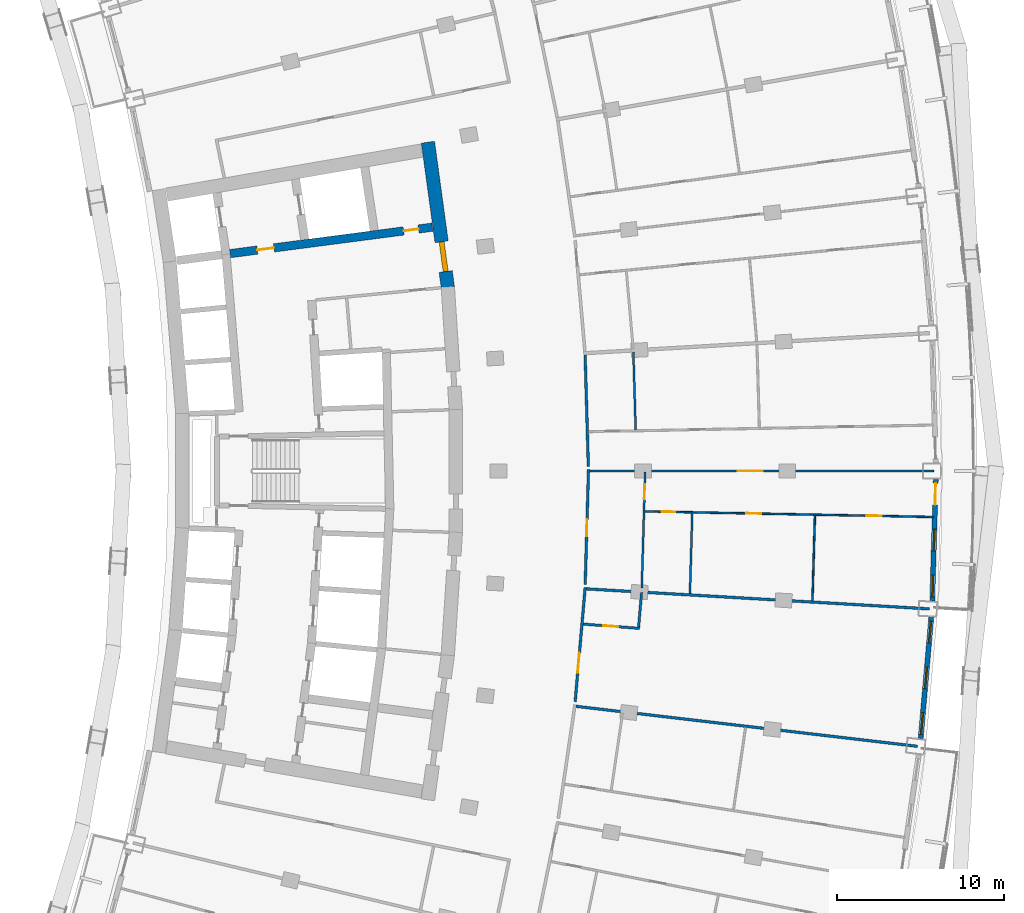
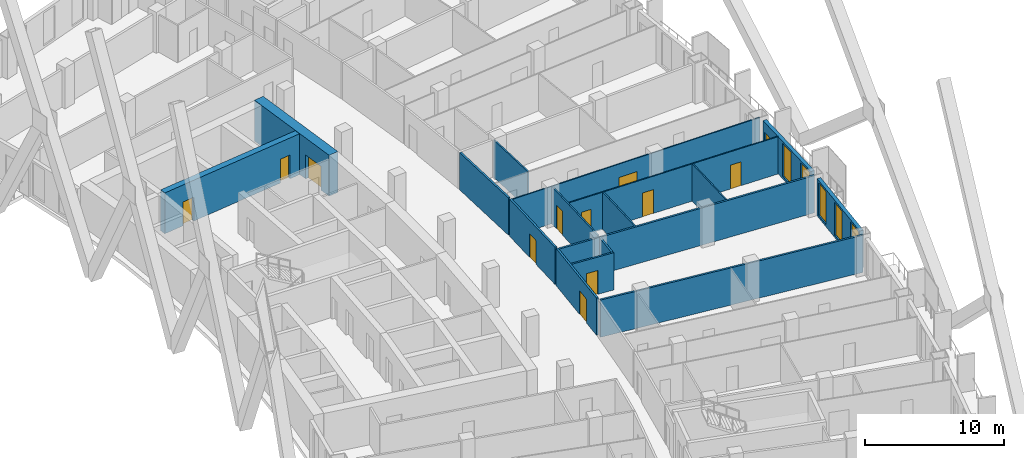
# One storey, part 18 of 26: 17 walls, 12 doors, 5 windows, 17 openings.
"""IFC4 building model written with IfcOpenShell, lengths in metres."""

import ifcopenshell
import ifcopenshell.guid

model = None  # the IFC model being written
_history = None  # IfcOwnerHistory: only IFC2X3 demands one
_inside = {}  # id of a spatial element -> (the spatial element, [elements in it])
_under = {}  # id of a project, library or spatial element -> (it, [spatial elements below it])
_declared = {}  # id of a project -> (the project, [libraries it declares])
_typed = {}  # id of a type object -> (the type object, [elements of that type])
_made_of = {}  # id of a material, layer set ... -> (it, [elements and type objects made of it])


def new_model(schema):
    """Start an empty IFC model of exactly this schema.

    Asked for "IFC4X3", IfcOpenShell would pick the latest addendum, in which some entities
    have other attributes; the version numbers below select the first issue.
    IFC2X3 requires an IfcOwnerHistory on every rooted entity: one is made here for all.
    """
    global model, _history
    if schema == "IFC4X3":
        model = ifcopenshell.file(schema_version=(4, 3, 0, 0))
    else:
        model = ifcopenshell.file(schema=schema)
    _inside.clear()
    _under.clear()
    _declared.clear()
    _typed.clear()
    _made_of.clear()
    _history = None
    if model.schema == "IFC2X3":
        org = make("IfcOrganization", Name="unknown")
        user = make(
            "IfcPersonAndOrganization",
            ThePerson=make("IfcPerson", FamilyName="unknown"),
            TheOrganization=org,
        )
        app = make(
            "IfcApplication",
            ApplicationDeveloper=org,
            Version="unknown",
            ApplicationFullName="unknown",
            ApplicationIdentifier="unknown",
        )
        _history = make(
            "IfcOwnerHistory",
            OwningUser=user,
            OwningApplication=app,
            ChangeAction="ADDED",
            CreationDate=0,
        )
    return model


def make(cls, **values):
    """One entity of the class cls with the attributes given. An attribute that is None is left unset."""
    return model.create_entity(
        cls, **{name: value for name, value in values.items() if value is not None}
    )


def rooted(cls, **values):
    """An entity with a GlobalId (a new one), such as an element, a storey or a relation."""
    return make(cls, GlobalId=ifcopenshell.guid.new(), OwnerHistory=_history, **values)


def si_unit(unit_type, name, prefix=None):
    """IfcSIUnit, for example si_unit("LENGTHUNIT", "METRE", prefix="MILLI")."""
    return make("IfcSIUnit", UnitType=unit_type, Prefix=prefix, Name=name)


def assignment(units):
    """IfcUnitAssignment: the units of a project."""
    return None if units is None else make("IfcUnitAssignment", Units=units)


def point(xyz):
    """IfcCartesianPoint."""
    return None if xyz is None else make("IfcCartesianPoint", Coordinates=xyz)


def direction(xyz):
    """IfcDirection."""
    return None if xyz is None else make("IfcDirection", DirectionRatios=xyz)


def frame(location, z_axis=None, x_axis=None):
    """IfcAxis2Placement3D, a coordinate frame: its origin and axes. An axis left out is left unset."""
    return make(
        "IfcAxis2Placement3D",
        Location=point(location),
        Axis=direction(z_axis),
        RefDirection=direction(x_axis),
    )


def frame_2d(location, x_axis=None):
    """IfcAxis2Placement2D, a coordinate frame in the plane: its origin and x axis."""
    return make(
        "IfcAxis2Placement2D", Location=point(location), RefDirection=direction(x_axis)
    )


def origin():
    """The frame at (0, 0, 0) with its axes left unset."""
    return frame((0.0, 0.0, 0.0))


def place(relative_to, where):
    """IfcLocalPlacement: puts the frame where relative to a parent placement (None: the world)."""
    return make(
        "IfcLocalPlacement", PlacementRelTo=relative_to, RelativePlacement=where
    )


def context(
    kind, dimensions, precision=None, world=None, true_north=None, identifier=None
):
    """IfcGeometricRepresentationContext, for example the 3D "Model" context."""
    return make(
        "IfcGeometricRepresentationContext",
        ContextIdentifier=identifier,
        ContextType=kind,
        CoordinateSpaceDimension=dimensions,
        Precision=precision,
        WorldCoordinateSystem=world,
        TrueNorth=true_north,
    )


def subcontext(parent, identifier, kind, view, scale=None):
    """IfcGeometricRepresentationSubContext, for example "Body" below "Model"."""
    return make(
        "IfcGeometricRepresentationSubContext",
        ContextIdentifier=identifier,
        ContextType=kind,
        ParentContext=parent,
        TargetScale=scale,
        TargetView=view,
    )


def project(units=None, contexts=None):
    """IfcProject with its units and contexts."""
    return rooted(
        "IfcProject",
        Name="project",
        RepresentationContexts=contexts,
        UnitsInContext=assignment(units),
    )


def spatial(cls, under=None, at=None, **own):
    """A site, building, storey or space (cls), placed at a placement, below another one or the project."""
    s = rooted(cls, ObjectPlacement=at, **own)
    if under is not None:
        _under.setdefault(under.id(), (under, []))[1].append(s)
    return s


def profile(cls, at=None, kind="AREA", **sizes):
    """A parametric profile (cls). Its sizes go by their IFC names, for example OverallWidth=200.0."""
    return make(cls, ProfileType=kind, Position=at, **sizes)


def rectangle(**sizes):
    """IfcRectangleProfileDef."""
    return profile("IfcRectangleProfileDef", **sizes)


def extrude(swept, where, along, depth):
    """IfcExtrudedAreaSolid: the profile swept, set in the frame where, extruded along a direction by depth."""
    return make(
        "IfcExtrudedAreaSolid",
        SweptArea=swept,
        Position=where,
        ExtrudedDirection=direction(along),
        Depth=depth,
    )


def shape(context_of_items, identifier, shape_type, items):
    """IfcShapeRepresentation: the items that make up one representation, for example the "Body"."""
    return make(
        "IfcShapeRepresentation",
        ContextOfItems=context_of_items,
        RepresentationIdentifier=identifier,
        RepresentationType=shape_type,
        Items=items,
    )


def material(Name=None, Category=None):
    """IfcMaterial."""
    return make("IfcMaterial", Name=Name, Category=Category)


def layer(
    of_material, thickness, ventilated=None, Name=None, Category=None, Priority=None
):
    """IfcMaterialLayer: one layer of a wall or slab, of a material (None: an air gap)."""
    return make(
        "IfcMaterialLayer",
        Material=of_material,
        LayerThickness=thickness,
        IsVentilated=ventilated,
        Name=Name,
        Category=Category,
        Priority=Priority,
    )


def layer_set(layers, Name=None):
    """IfcMaterialLayerSet."""
    return make("IfcMaterialLayerSet", MaterialLayers=layers, LayerSetName=Name)


def made_of(thing, what):
    """Note that an element or type object is made of a material, layer set ...; save() writes the relation."""
    if what is not None:
        _made_of.setdefault(what.id(), (what, []))[1].append(thing)
    return thing


def type_object(cls, material=None, **own):
    """A type object (cls), such as IfcWallType, which elements share."""
    return made_of(rooted(cls, **own), material)


def element(
    cls,
    number,
    at=None,
    inside=None,
    cuts=None,
    type_object=None,
    material=None,
    context=None,
    identifier="Body",
    shape_type=None,
    held_by="IfcProductDefinitionShape",
    body=None,
    shapes=None,
    **own,
):
    """One element of the class cls, such as IfcWall. Its Tag is "e" and its number.

    at: its placement. inside: the storey or other place that contains it. cuts: it is an
    opening in that element (IfcRelVoidsElement). A single representation is given by context,
    identifier, shape_type and body (its items); several are given by shapes. held_by: the class
    of the entity that holds the representations. save() writes the other relations.
    """
    e = rooted(cls, Tag="e%d" % number, ObjectPlacement=at, **own)
    if body is not None:
        shapes = [shape(context, identifier, shape_type, body)]
    if shapes is not None:
        e.Representation = make(held_by, Representations=shapes)
    if inside is not None:
        _inside.setdefault(inside.id(), (inside, []))[1].append(e)
    if cuts is not None:
        rooted(
            "IfcRelVoidsElement", RelatingBuildingElement=cuts, RelatedOpeningElement=e
        )
    if type_object is not None:
        _typed.setdefault(type_object.id(), (type_object, []))[1].append(e)
    return made_of(e, material)


def fill(opening, filler):
    """IfcRelFillsElement: the door or window that sits in an opening."""
    return rooted(
        "IfcRelFillsElement",
        RelatingOpeningElement=opening,
        RelatedBuildingElement=filler,
    )


def aggregate(whole, parts):
    """IfcRelAggregates: a whole, such as a stair, and the parts it consists of."""
    return rooted("IfcRelAggregates", RelatingObject=whole, RelatedObjects=parts)


def save(model, path):
    """Write the relations noted so far, then the file.

    IfcRelAggregates (storeys below a building ...), IfcRelContainedInSpatialStructure (elements
    in a storey), IfcRelDefinesByType, IfcRelAssociatesMaterial and IfcRelDeclares: one each for
    every whole, place, type object, material and project.
    """
    for whole, parts in _under.values():
        aggregate(whole, parts)
    for where, things in _inside.values():
        rooted(
            "IfcRelContainedInSpatialStructure",
            RelatedElements=things,
            RelatingStructure=where,
        )
    for kind, things in _typed.values():
        rooted("IfcRelDefinesByType", RelatedObjects=things, RelatingType=kind)
    for what, things in _made_of.values():
        rooted("IfcRelAssociatesMaterial", RelatedObjects=things, RelatingMaterial=what)
    for by, libraries in _declared.values():
        rooted("IfcRelDeclares", RelatingContext=by, RelatedDefinitions=libraries)
    model.write(path)


model = new_model("IFC4")

# Units and contexts
model_context = context("Model", 3, precision=1e-05, world=origin(), true_north=direction((0.0, 1.0)))
body_context = subcontext(model_context, "Body", "Model", "MODEL_VIEW")
ifc_project = project(units=[si_unit("LENGTHUNIT", "METRE"), si_unit("AREAUNIT", "SQUARE_METRE"), si_unit("VOLUMEUNIT", "CUBIC_METRE"), si_unit("PLANEANGLEUNIT", "RADIAN"), si_unit("MASSUNIT", "GRAM", prefix="KILO")], contexts=[model_context])

# Site, building, storey
site_placement = place(None, origin())
site = spatial("IfcSite", under=ifc_project, at=site_placement, CompositionType="ELEMENT")
building_placement = place(site_placement, origin())
building = spatial("IfcBuilding", under=site, at=building_placement, Name="Alderwake Tower", CompositionType="ELEMENT")
storey_placement = place(building_placement, frame((0.0, 0.0, 82.39990234375)))
storey = spatial("IfcBuildingStorey", under=building, at=storey_placement, Name="L19", CompositionType="ELEMENT", Elevation=82.39990234375)

# Wall, opening, door
ifc_material_1 = material(Name="Concrete C70/85", Category="concrete")
ifc_layer_1 = layer(ifc_material_1, 0.800048828125)
ifc_layer_set_1 = layer_set([ifc_layer_1], Name="Core wall outer 800 C70-85")
wall_type_1 = type_object("IfcWallType", Name="Core wall outer 800 C70-85", PredefinedType="SHEAR", material=ifc_layer_set_1)
wall_1_placement = place(storey_placement, frame((31.569580078125, 80.7265625, 0.0), z_axis=(0.0, 0.0, 1.0), x_axis=(0.135838347444, -0.990731014637, 0.0)))
wall_1 = element("IfcWall", 1, at=wall_1_placement, inside=storey, type_object=wall_type_1, Name="Core wall CW.009", PredefinedType="SHEAR", context=body_context, shape_type="SweptSolid", body=[
    extrude(rectangle(XDim=8.788818359375, YDim=0.800048828125, at=frame_2d((4.39453125, 0.0))), origin(), (0.0, 0.0, 1.0), 3.60009765625),
])
opening_1_placement = place(wall_1_placement, frame((6.032958984375, 0.0, 0.0)))
opening_1 = element("IfcOpeningElement", 2, at=opening_1_placement, cuts=wall_1, Name="Opening C001", PredefinedType="OPENING", context=body_context, shape_type="SweptSolid", body=[
    extrude(rectangle(XDim=1.800048828125, YDim=2.10009765625, at=frame_2d((0.89990234375, 1.050048828125))), frame((0.0, 0.409912109375, 0.0), z_axis=(0.0, -1.0, 0.0), x_axis=(1.0, 0.0, 0.0)), (0.0, 0.0, 1.0), 0.820068359375),
])
ifc_material_2 = material(Name="Steel-framed fire door leaves", Category="steel")
door_type_1 = type_object("IfcDoorType", Name="Core double door 1800 fire-rated", OperationType="DOUBLE_DOOR_SINGLE_SWING", PredefinedType="DOOR", material=ifc_material_2)
door_1_placement = place(opening_1_placement, origin())
door_1 = element("IfcDoor", 3, at=door_1_placement, inside=storey, type_object=door_type_1, Name="Lobby double door", OperationType="DOUBLE_DOOR_SINGLE_SWING", OverallHeight=2.10009765625, OverallWidth=1.800048828125, PredefinedType="DOOR", context=body_context, shape_type="SweptSolid", body=[
    extrude(rectangle(XDim=1.800048828125, YDim=2.10009765625, at=frame_2d((0.89990234375, 1.050048828125))), frame((0.0, 0.14990234375, 0.0), z_axis=(0.0, -1.0, 0.0), x_axis=(1.0, 0.0, 0.0)), (0.0, 0.0, 1.0), 0.300048828125),
])
fill(opening_1, door_1)

# Wall, openings, doors
ifc_material_3 = material(Name="Concrete C70/85", Category="concrete")
ifc_layer_2 = layer(ifc_material_3, 0.5)
ifc_layer_set_2 = layer_set([ifc_layer_2], Name="Core wall spine 500 C70-85")
wall_type_2 = type_object("IfcWallType", Name="Core wall spine 500 C70-85", PredefinedType="SHEAR", material=ifc_layer_set_2)
wall_2_placement = place(storey_placement, frame((31.834716796875, 75.627197265625, 0.0), z_axis=(0.0, 0.0, 1.0), x_axis=(-0.991555516999, -0.129682908318, 0.0)))
wall_2 = element("IfcWall", 4, at=wall_2_placement, inside=storey, type_object=wall_type_2, Name="Core wall CW.052", PredefinedType="SHEAR", context=body_context, shape_type="SweptSolid", body=[
    extrude(rectangle(XDim=12.23681640625, YDim=0.5, at=frame_2d((6.118408203125, 0.0))), origin(), (0.0, 0.0, 1.0), 3.60009765625),
])
opening_2_placement = place(wall_2_placement, frame((9.587158203125, 0.0, 0.0)))
opening_2 = element("IfcOpeningElement", 5, at=opening_2_placement, cuts=wall_2, Name="Opening C002", PredefinedType="OPENING", context=body_context, shape_type="SweptSolid", body=[
    extrude(rectangle(XDim=1.0, YDim=2.10009765625, at=frame_2d((0.5, 1.050048828125))), frame((0.0, 0.260009765625, 0.0), z_axis=(0.0, -1.0, 0.0), x_axis=(1.0, 0.0, 0.0)), (0.0, 0.0, 1.0), 0.52001953125),
])
opening_3_placement = place(wall_2_placement, frame((0.837158203125, 0.0, 0.0)))
opening_3 = element("IfcOpeningElement", 6, at=opening_3_placement, cuts=wall_2, Name="Opening C020", PredefinedType="OPENING", context=body_context, shape_type="SweptSolid", body=[
    extrude(rectangle(XDim=0.89990234375, YDim=2.10009765625, at=frame_2d((0.449951171875, 1.050048828125))), frame((0.0, 0.260009765625, 0.0), z_axis=(0.0, -1.0, 0.0), x_axis=(1.0, 0.0, 0.0)), (0.0, 0.0, 1.0), 0.52001953125),
])
ifc_material_4 = material(Name="Painted steel leaf", Category="steel")
door_type_2 = type_object("IfcDoorType", Name="Core room door 900", OperationType="SINGLE_SWING_LEFT", PredefinedType="DOOR", material=ifc_material_4)
door_2_placement = place(opening_3_placement, origin())
door_2 = element("IfcDoor", 7, at=door_2_placement, inside=storey, type_object=door_type_2, Name="Room door", OperationType="SINGLE_SWING_LEFT", OverallHeight=2.10009765625, OverallWidth=0.89990234375, PredefinedType="DOOR", context=body_context, shape_type="SweptSolid", body=[
    extrude(rectangle(XDim=0.89990234375, YDim=2.10009765625, at=frame_2d((0.449951171875, 1.050048828125))), frame((0.0, 0.02490234375, 0.0), z_axis=(0.0, -1.0, 0.0), x_axis=(1.0, 0.0, 0.0)), (0.0, 0.0, 1.0), 0.050048828125),
])
fill(opening_3, door_2)
ifc_material_5 = material(Name="Steel-framed fire door leaf", Category="steel")
door_type_3 = type_object("IfcDoorType", Name="Firefighting lobby door 1000 fire-rated", OperationType="SINGLE_SWING_LEFT", PredefinedType="DOOR", material=ifc_material_5)
door_3_placement = place(opening_2_placement, origin())
door_3 = element("IfcDoor", 8, at=door_3_placement, inside=storey, type_object=door_type_3, Name="Firefighting lobby door", OperationType="SINGLE_SWING_RIGHT", OverallHeight=2.10009765625, OverallWidth=1.0, PredefinedType="DOOR", context=body_context, shape_type="SweptSolid", body=[
    extrude(rectangle(XDim=1.0, YDim=2.10009765625, at=frame_2d((0.5, 1.050048828125))), frame((0.0, 0.02490234375, 0.0), z_axis=(0.0, -1.0, 0.0), x_axis=(1.0, 0.0, 0.0)), (0.0, 0.0, 1.0), 0.050048828125),
])
fill(opening_2, door_3)

# Wall, opening, door
ifc_material_6 = material(Name="Gypsum board on metal studs, rated")
ifc_layer_3 = layer(ifc_material_6, 0.159912109375)
ifc_layer_set_3 = layer_set([ifc_layer_3], Name="Corridor wall 160")
wall_type_3 = type_object("IfcWallType", Name="Corridor wall 160", PredefinedType="PARTITIONING", material=ifc_layer_set_3)
wall_3_placement = place(storey_placement, frame((41.001953125, 54.013671875, 0.0), z_axis=(0.0, 0.0, 1.0), x_axis=(-0.087419573149, -0.996171580718, 0.0)))
wall_3 = element("IfcWall", 9, at=wall_3_placement, inside=storey, type_object=wall_type_3, Name="WL/L19/W36", PredefinedType="PARTITIONING", context=body_context, shape_type="SweptSolid", body=[
    extrude(rectangle(XDim=6.88134765625, YDim=0.159912109375, at=frame_2d((3.440673828125, 0.0))), origin(), (0.0, 0.0, 1.0), 3.280029296875),
])
opening_4_placement = place(wall_3_placement, frame((3.941162109375, 0.0, 0.0)))
opening_4 = element("IfcOpeningElement", 10, at=opening_4_placement, cuts=wall_3, Name="Opening R05-AM1.1", PredefinedType="OPENING", context=body_context, shape_type="SweptSolid", body=[
    extrude(rectangle(XDim=1.199951171875, YDim=2.10009765625, at=frame_2d((0.60009765625, 1.050048828125))), frame((0.0, 0.08984375, 0.0), z_axis=(0.0, -1.0, 0.0), x_axis=(1.0, 0.0, 0.0)), (0.0, 0.0, 1.0), 0.179931640625),
])
ifc_material_7 = material(Name="Steel-framed fire door leaf", Category="steel")
door_type_4 = type_object("IfcDoorType", Name="Lobby door 1200 fire-rated", OperationType="SINGLE_SWING_LEFT", PredefinedType="DOOR", material=ifc_material_7)
door_4_placement = place(opening_4_placement, origin())
door_4 = element("IfcDoor", 11, at=door_4_placement, inside=storey, type_object=door_type_4, Name="DR/L19/AM1.1", OperationType="SINGLE_SWING_LEFT", OverallHeight=2.10009765625, OverallWidth=1.199951171875, PredefinedType="DOOR", context=body_context, shape_type="SweptSolid", body=[
    extrude(rectangle(XDim=1.199951171875, YDim=2.10009765625, at=frame_2d((0.60009765625, 1.050048828125))), frame((0.0, 0.02490234375, 0.0), z_axis=(0.0, -1.0, 0.0), x_axis=(1.0, 0.0, 0.0)), (0.0, 0.0, 1.0), 0.050048828125),
])
fill(opening_4, door_4)

wall_4_placement = place(storey_placement, frame((41.201416015625, 61.0791015625, 0.0), z_axis=(0.0, 0.0, 1.0), x_axis=(-0.028879835058, -0.999582890573, 0.0)))
wall_4 = element("IfcWall", 12, at=wall_4_placement, inside=storey, type_object=wall_type_3, Name="WL/L19/W38", PredefinedType="PARTITIONING", context=body_context, shape_type="SweptSolid", body=[
    extrude(rectangle(XDim=6.88134765625, YDim=0.159912109375, at=frame_2d((3.440673828125, 0.0))), origin(), (0.0, 0.0, 1.0), 3.280029296875),
])
opening_5_placement = place(wall_4_placement, frame((2.97998046875, 0.0, 0.0)))
opening_5 = element("IfcOpeningElement", 13, at=opening_5_placement, cuts=wall_4, Name="Opening R05-U06.2", PredefinedType="OPENING", context=body_context, shape_type="SweptSolid", body=[
    extrude(rectangle(XDim=1.0, YDim=2.10009765625, at=frame_2d((0.5, 1.050048828125))), frame((0.0, 0.08984375, 0.0), z_axis=(0.0, -1.0, 0.0), x_axis=(1.0, 0.0, 0.0)), (0.0, 0.0, 1.0), 0.179931640625),
])
ifc_material_8 = material(Name="Solid timber leaf in steel frame", Category="steel")
door_type_5 = type_object("IfcDoorType", Name="Flat entrance door 1000 fire-rated", OperationType="SINGLE_SWING_LEFT", PredefinedType="DOOR", material=ifc_material_8)
door_5_placement = place(opening_5_placement, origin())
door_5 = element("IfcDoor", 14, at=door_5_placement, inside=storey, type_object=door_type_5, Name="DR/L19/U06.2", OperationType="SINGLE_SWING_LEFT", OverallHeight=2.10009765625, OverallWidth=1.0, PredefinedType="DOOR", context=body_context, shape_type="SweptSolid", body=[
    extrude(rectangle(XDim=1.0, YDim=2.10009765625, at=frame_2d((0.5, 1.050048828125))), frame((0.0, 0.02490234375, 0.0), z_axis=(0.0, -1.0, 0.0), x_axis=(1.0, 0.0, 0.0)), (0.0, 0.0, 1.0), 0.050048828125),
])
fill(opening_5, door_5)

# Walls
wall_5_placement = place(storey_placement, frame((41.074951171875, 53.92919921875, 0.0), z_axis=(0.0, 0.0, 1.0), x_axis=(0.998301701652, -0.058255578946, 0.0)))
element("IfcWall", 15, at=wall_5_placement, inside=storey, type_object=wall_type_3, Name="WL/L19/W39", PredefinedType="PARTITIONING", context=body_context, shape_type="SweptSolid", body=[
    extrude(rectangle(XDim=20.618896484375, YDim=0.159912109375, at=frame_2d((10.3095703125, 0.0))), origin(), (0.0, 0.0, 1.0), 3.280029296875),
])
wall_6_placement = place(storey_placement, frame((40.997802734375, 67.967041015625, 0.0), z_axis=(0.0, 0.0, 1.0), x_axis=(0.0288778927, -0.99958294669, 0.0)))
element("IfcWall", 16, at=wall_6_placement, inside=storey, type_object=wall_type_3, Name="WL/L19/W41", PredefinedType="PARTITIONING", context=body_context, shape_type="SweptSolid", body=[
    extrude(rectangle(XDim=6.7041015625, YDim=0.159912109375, at=frame_2d((3.35205078125, 0.0))), origin(), (0.0, 0.0, 1.0), 3.280029296875),
])
wall_7_placement = place(storey_placement, frame((60.93603515625, 44.48388671875, 0.0), z_axis=(0.0, 0.0, 1.0), x_axis=(-0.993203681346, 0.116389206376, 0.0)))
element("IfcWall", 17, at=wall_7_placement, inside=storey, type_object=wall_type_3, Name="WL/L19/W42", PredefinedType="PARTITIONING", context=body_context, shape_type="SweptSolid", body=[
    extrude(rectangle(XDim=20.61962890625, YDim=0.159912109375, at=frame_2d((10.309814453125, 0.0))), origin(), (0.0, 0.0, 1.0), 3.280029296875),
])

# Wall, openings, windows
ifc_material_9 = material(Name="Precast concrete C50/60 spandrel panel", Category="concrete")
ifc_layer_4 = layer(ifc_material_9, 0.300048828125)
ifc_layer_set_4 = layer_set([ifc_layer_4], Name="External wall EW1 Precast concrete C50/60 spandrel")
wall_type_4 = type_object("IfcWallType", Name="External wall EW1 Precast concrete C50/60 spandrel", PredefinedType="SOLIDWALL", material=ifc_layer_set_4)
wall_8_placement = place(storey_placement, frame((61.1279296875, 44.962158203125, 0.0), z_axis=(0.0, 0.0, 1.0), x_axis=(0.087408828745, 0.996172523541, 0.0)))
wall_8 = element("IfcWall", 18, at=wall_8_placement, inside=storey, type_object=wall_type_4, Name="External wall 15", PredefinedType="SOLIDWALL", context=body_context, shape_type="SweptSolid", body=[
    extrude(rectangle(XDim=7.287109375, YDim=0.300048828125, at=frame_2d((3.6435546875, 0.0))), origin(), (0.0, 0.0, 1.0), 3.280029296875),
])
opening_6_placement = place(wall_8_placement, frame((0.23681640625, 0.0, 0.199951171875)))
opening_6 = element("IfcOpeningElement", 19, at=opening_6_placement, cuts=wall_8, Name="Opening W1", PredefinedType="OPENING", context=body_context, shape_type="SweptSolid", body=[
    extrude(rectangle(XDim=1.300048828125, YDim=2.89990234375, at=frame_2d((0.64990234375, 1.449951171875))), frame((0.0, 0.159912109375, 0.0), z_axis=(0.0, -1.0, 0.0), x_axis=(1.0, 0.0, 0.0)), (0.0, 0.0, 1.0), 0.320068359375),
])
opening_7_placement = place(wall_8_placement, frame((2.99365234375, 0.0, 0.199951171875)))
opening_7 = element("IfcOpeningElement", 20, at=opening_7_placement, cuts=wall_8, Name="Opening W1", PredefinedType="OPENING", context=body_context, shape_type="SweptSolid", body=[
    extrude(rectangle(XDim=1.300048828125, YDim=2.89990234375, at=frame_2d((0.64990234375, 1.449951171875))), frame((0.0, 0.159912109375, 0.0), z_axis=(0.0, -1.0, 0.0), x_axis=(1.0, 0.0, 0.0)), (0.0, 0.0, 1.0), 0.320068359375),
])
opening_8_placement = place(wall_8_placement, frame((5.75048828125, 0.0, 0.199951171875)))
opening_8 = element("IfcOpeningElement", 21, at=opening_8_placement, cuts=wall_8, Name="Opening W1", PredefinedType="OPENING", context=body_context, shape_type="SweptSolid", body=[
    extrude(rectangle(XDim=1.300048828125, YDim=2.89990234375, at=frame_2d((0.64990234375, 1.449951171875))), frame((0.0, 0.159912109375, 0.0), z_axis=(0.0, -1.0, 0.0), x_axis=(1.0, 0.0, 0.0)), (0.0, 0.0, 1.0), 0.320068359375),
])
ifc_material_10 = material(Name="Bronze tinted glass in aluminium frame", Category="aluminium")
window_type = type_object("IfcWindowType", Name="Window W1 tall fixed and vent", PartitioningType="DOUBLE_PANEL_VERTICAL", PredefinedType="WINDOW", material=ifc_material_10)
window_1_placement = place(opening_6_placement, origin())
window_1 = element("IfcWindow", 22, at=window_1_placement, inside=storey, type_object=window_type, Name="Window W1 tall fixed and vent", OverallHeight=2.89990234375, OverallWidth=1.300048828125, PartitioningType="DOUBLE_PANEL_VERTICAL", PredefinedType="WINDOW", context=body_context, shape_type="SweptSolid", body=[
    extrude(rectangle(XDim=1.300048828125, YDim=2.89990234375, at=frame_2d((0.64990234375, 1.449951171875))), frame((0.0, 0.030029296875, 0.0), z_axis=(0.0, -1.0, 0.0), x_axis=(1.0, 0.0, 0.0)), (0.0, 0.0, 1.0), 0.06005859375),
])
fill(opening_6, window_1)
window_2_placement = place(opening_7_placement, origin())
window_2 = element("IfcWindow", 23, at=window_2_placement, inside=storey, type_object=window_type, Name="Window W1 tall fixed and vent", OverallHeight=2.89990234375, OverallWidth=1.300048828125, PartitioningType="DOUBLE_PANEL_VERTICAL", PredefinedType="WINDOW", context=body_context, shape_type="SweptSolid", body=[
    extrude(rectangle(XDim=1.300048828125, YDim=2.89990234375, at=frame_2d((0.64990234375, 1.449951171875))), frame((0.0, 0.030029296875, 0.0), z_axis=(0.0, -1.0, 0.0), x_axis=(1.0, 0.0, 0.0)), (0.0, 0.0, 1.0), 0.06005859375),
])
fill(opening_7, window_2)
window_3_placement = place(opening_8_placement, origin())
window_3 = element("IfcWindow", 24, at=window_3_placement, inside=storey, type_object=window_type, Name="Window W1 tall fixed and vent", OverallHeight=2.89990234375, OverallWidth=1.300048828125, PartitioningType="DOUBLE_PANEL_VERTICAL", PredefinedType="WINDOW", context=body_context, shape_type="SweptSolid", body=[
    extrude(rectangle(XDim=1.300048828125, YDim=2.89990234375, at=frame_2d((0.64990234375, 1.449951171875))), frame((0.0, 0.030029296875, 0.0), z_axis=(0.0, -1.0, 0.0), x_axis=(1.0, 0.0, 0.0)), (0.0, 0.0, 1.0), 0.06005859375),
])
fill(opening_8, window_3)

# Wall, openings, door, windows
wall_9_placement = place(storey_placement, frame((61.822998046875, 53.217041015625, 0.0), z_axis=(0.0, 0.0, 1.0), x_axis=(0.029146039904, 0.999575163936, 0.0)))
wall_9 = element("IfcWall", 25, at=wall_9_placement, inside=storey, type_object=wall_type_4, Name="External wall 16", PredefinedType="SOLIDWALL", context=body_context, shape_type="SweptSolid", body=[
    extrude(rectangle(XDim=7.28759765625, YDim=0.300048828125, at=frame_2d((3.643798828125, 0.0))), origin(), (0.0, 0.0, 1.0), 3.280029296875),
])
opening_9_placement = place(wall_9_placement, frame((0.23681640625, 0.0, 0.199951171875)))
opening_9 = element("IfcOpeningElement", 26, at=opening_9_placement, cuts=wall_9, Name="Opening W1", PredefinedType="OPENING", context=body_context, shape_type="SweptSolid", body=[
    extrude(rectangle(XDim=1.300048828125, YDim=2.89990234375, at=frame_2d((0.64990234375, 1.449951171875))), frame((0.0, 0.159912109375, 0.0), z_axis=(0.0, -1.0, 0.0), x_axis=(1.0, 0.0, 0.0)), (0.0, 0.0, 1.0), 0.320068359375),
])
opening_10_placement = place(wall_9_placement, frame((2.99365234375, 0.0, 0.199951171875)))
opening_10 = element("IfcOpeningElement", 27, at=opening_10_placement, cuts=wall_9, Name="Opening W1", PredefinedType="OPENING", context=body_context, shape_type="SweptSolid", body=[
    extrude(rectangle(XDim=1.300048828125, YDim=2.89990234375, at=frame_2d((0.64990234375, 1.449951171875))), frame((0.0, 0.159912109375, 0.0), z_axis=(0.0, -1.0, 0.0), x_axis=(1.0, 0.0, 0.0)), (0.0, 0.0, 1.0), 0.320068359375),
])
opening_11_placement = place(wall_9_placement, frame((5.75048828125, 0.0, 0.0)))
opening_11 = element("IfcOpeningElement", 28, at=opening_11_placement, cuts=wall_9, Name="Opening D06", PredefinedType="OPENING", context=body_context, shape_type="SweptSolid", body=[
    extrude(rectangle(XDim=1.300048828125, YDim=2.39990234375, at=frame_2d((0.64990234375, 1.199951171875))), frame((0.0, 0.159912109375, 0.0), z_axis=(0.0, -1.0, 0.0), x_axis=(1.0, 0.0, 0.0)), (0.0, 0.0, 1.0), 0.320068359375),
])
ifc_material_11 = material(Name="Bronze tinted glass in aluminium frame", Category="aluminium")
door_type_6 = type_object("IfcDoorType", Name="Balcony door BD sliding", OperationType="SLIDING_TO_LEFT", PredefinedType="DOOR", material=ifc_material_11)
door_6_placement = place(opening_11_placement, origin())
door_6 = element("IfcDoor", 29, at=door_6_placement, inside=storey, type_object=door_type_6, Name="Door D06", OperationType="SLIDING_TO_LEFT", OverallHeight=2.39990234375, OverallWidth=1.300048828125, PredefinedType="DOOR", context=body_context, shape_type="SweptSolid", body=[
    extrude(rectangle(XDim=1.300048828125, YDim=2.39990234375, at=frame_2d((0.64990234375, 1.199951171875))), frame((0.0, 0.02490234375, 0.0), z_axis=(0.0, -1.0, 0.0), x_axis=(1.0, 0.0, 0.0)), (0.0, 0.0, 1.0), 0.050048828125),
])
fill(opening_11, door_6)
window_4_placement = place(opening_9_placement, origin())
window_4 = element("IfcWindow", 30, at=window_4_placement, inside=storey, type_object=window_type, Name="Window W1 tall fixed and vent", OverallHeight=2.89990234375, OverallWidth=1.300048828125, PartitioningType="DOUBLE_PANEL_VERTICAL", PredefinedType="WINDOW", context=body_context, shape_type="SweptSolid", body=[
    extrude(rectangle(XDim=1.300048828125, YDim=2.89990234375, at=frame_2d((0.64990234375, 1.449951171875))), frame((0.0, 0.030029296875, 0.0), z_axis=(0.0, -1.0, 0.0), x_axis=(1.0, 0.0, 0.0)), (0.0, 0.0, 1.0), 0.06005859375),
])
fill(opening_9, window_4)
window_5_placement = place(opening_10_placement, origin())
window_5 = element("IfcWindow", 31, at=window_5_placement, inside=storey, type_object=window_type, Name="Window W1 tall fixed and vent", OverallHeight=2.89990234375, OverallWidth=1.300048828125, PartitioningType="DOUBLE_PANEL_VERTICAL", PredefinedType="WINDOW", context=body_context, shape_type="SweptSolid", body=[
    extrude(rectangle(XDim=1.300048828125, YDim=2.89990234375, at=frame_2d((0.64990234375, 1.449951171875))), frame((0.0, 0.030029296875, 0.0), z_axis=(0.0, -1.0, 0.0), x_axis=(1.0, 0.0, 0.0)), (0.0, 0.0, 1.0), 0.06005859375),
])
fill(opening_10, window_5)

# Wall, opening, door
ifc_material_12 = material(Name="Gypsum shaft wall system, rated")
ifc_layer_5 = layer(ifc_material_12, 0.14990234375)
ifc_layer_set_5 = layer_set([ifc_layer_5], Name="Riser and shaft wall 150")
wall_type_5 = type_object("IfcWallType", Name="Riser and shaft wall 150", PredefinedType="PARTITIONING", material=ifc_layer_set_5)
wall_10_placement = place(storey_placement, frame((40.888916015625, 51.81591796875, 0.0), z_axis=(0.0, 0.0, 1.0), x_axis=(0.997117185658, -0.075876992994, 0.0)))
wall_10 = element("IfcWall", 32, at=wall_10_placement, inside=storey, type_object=wall_type_5, Name="WL/L19/W13", PredefinedType="PARTITIONING", context=body_context, shape_type="SweptSolid", body=[
    extrude(rectangle(XDim=3.39453125, YDim=0.14990234375, at=frame_2d((1.697265625, 0.0))), origin(), (0.0, 0.0, 1.0), 3.280029296875),
])
opening_12_placement = place(wall_10_placement, frame((1.209228515625, 0.0, 0.0)))
opening_12 = element("IfcOpeningElement", 33, at=opening_12_placement, cuts=wall_10, Name="Opening R05-AM1.2", PredefinedType="OPENING", context=body_context, shape_type="SweptSolid", body=[
    extrude(rectangle(XDim=0.89990234375, YDim=2.10009765625, at=frame_2d((0.449951171875, 1.050048828125))), frame((0.0, 0.0849609375, 0.0), z_axis=(0.0, -1.0, 0.0), x_axis=(1.0, 0.0, 0.0)), (0.0, 0.0, 1.0), 0.169921875),
])
ifc_material_13 = material(Name="Painted timber leaf", Category="wood")
door_type_7 = type_object("IfcDoorType", Name="Room door 900", OperationType="SINGLE_SWING_LEFT", PredefinedType="DOOR", material=ifc_material_13)
door_7_placement = place(opening_12_placement, origin())
door_7 = element("IfcDoor", 34, at=door_7_placement, inside=storey, type_object=door_type_7, Name="DR/L19/AM1.2", OperationType="SINGLE_SWING_LEFT", OverallHeight=2.10009765625, OverallWidth=0.89990234375, PredefinedType="DOOR", context=body_context, shape_type="SweptSolid", body=[
    extrude(rectangle(XDim=0.89990234375, YDim=2.10009765625, at=frame_2d((0.449951171875, 1.050048828125))), frame((0.0, 0.02490234375, 0.0), z_axis=(0.0, -1.0, 0.0), x_axis=(1.0, 0.0, 0.0)), (0.0, 0.0, 1.0), 0.050048828125),
])
fill(opening_12, door_7)

# Wall
wall_11_placement = place(storey_placement, frame((44.20556640625, 51.638671875, 0.0), z_axis=(0.0, 0.0, 1.0), x_axis=(0.086639720886, 0.99623970949, 0.0)))
element("IfcWall", 35, at=wall_11_placement, inside=storey, type_object=wall_type_5, Name="WL/L19/W14", PredefinedType="PARTITIONING", context=body_context, shape_type="SweptSolid", body=[
    extrude(rectangle(XDim=2.085205078125, YDim=0.14990234375, at=frame_2d((1.04248046875, 0.0))), origin(), (0.0, 0.0, 1.0), 3.280029296875),
])

# Wall, opening, door
ifc_material_14 = material(Name="Gypsum board on metal studs")
ifc_layer_6 = layer(ifc_material_14, 0.10009765625)
ifc_layer_set_6 = layer_set([ifc_layer_6], Name="Unit partition 100")
wall_type_6 = type_object("IfcWallType", Name="Unit partition 100", PredefinedType="PARTITIONING", material=ifc_layer_set_6)
wall_12_placement = place(storey_placement, frame((41.279052734375, 60.9990234375, 0.0), z_axis=(0.0, 0.0, 1.0), x_axis=(1.0, 0.0, 0.0)))
wall_12 = element("IfcWall", 36, at=wall_12_placement, inside=storey, type_object=wall_type_6, Name="WL/L19/W72", PredefinedType="PARTITIONING", context=body_context, shape_type="SweptSolid", body=[
    extrude(rectangle(XDim=20.619873046875, YDim=0.10009765625, at=frame_2d((10.31005859375, 0.0))), origin(), (0.0, 0.0, 1.0), 3.280029296875),
])
opening_13_placement = place(wall_12_placement, frame((8.886474609375, 0.0, 0.0)))
opening_13 = element("IfcOpeningElement", 37, at=opening_13_placement, cuts=wall_12, Name="Opening R05-U06.9", PredefinedType="OPENING", context=body_context, shape_type="SweptSolid", body=[
    extrude(rectangle(XDim=1.5, YDim=2.10009765625, at=frame_2d((0.75, 1.050048828125))), frame((0.0, 0.06005859375, 0.0), z_axis=(0.0, -1.0, 0.0), x_axis=(1.0, 0.0, 0.0)), (0.0, 0.0, 1.0), 0.1201171875),
])
ifc_material_15 = material(Name="Painted timber leaves", Category="wood")
door_type_8 = type_object("IfcDoorType", Name="Double leaf door 1500", OperationType="DOUBLE_DOOR_SINGLE_SWING", PredefinedType="DOOR", material=ifc_material_15)
door_8_placement = place(opening_13_placement, origin())
door_8 = element("IfcDoor", 38, at=door_8_placement, inside=storey, type_object=door_type_8, Name="DR/L19/U06.9", OperationType="DOUBLE_DOOR_SINGLE_SWING", OverallHeight=2.10009765625, OverallWidth=1.5, PredefinedType="DOOR", context=body_context, shape_type="SweptSolid", body=[
    extrude(rectangle(XDim=1.5, YDim=2.10009765625, at=frame_2d((0.75, 1.050048828125))), frame((0.0, 0.02490234375, 0.0), z_axis=(0.0, -1.0, 0.0), x_axis=(1.0, 0.0, 0.0)), (0.0, 0.0, 1.0), 0.050048828125),
])
fill(opening_13, door_8)

# Wall, openings, doors
wall_13_placement = place(storey_placement, frame((61.868896484375, 58.241943359375, 0.0), z_axis=(0.0, 0.0, 1.0), x_axis=(-0.999812172455, 0.019380913569, 0.0)))
wall_13 = element("IfcWall", 39, at=wall_13_placement, inside=storey, type_object=wall_type_6, Name="WL/L19/W73", PredefinedType="PARTITIONING", context=body_context, shape_type="SweptSolid", body=[
    extrude(rectangle(XDim=17.282958984375, YDim=0.10009765625, at=frame_2d((8.6416015625, 0.0))), origin(), (0.0, 0.0, 1.0), 3.280029296875),
])
opening_14_placement = place(wall_13_placement, frame((10.31396484375, 0.0, 0.0)))
opening_14 = element("IfcOpeningElement", 40, at=opening_14_placement, cuts=wall_13, Name="Opening R05-U06.1", PredefinedType="OPENING", context=body_context, shape_type="SweptSolid", body=[
    extrude(rectangle(XDim=0.89990234375, YDim=2.10009765625, at=frame_2d((0.449951171875, 1.050048828125))), frame((0.0, 0.06005859375, 0.0), z_axis=(0.0, -1.0, 0.0), x_axis=(1.0, 0.0, 0.0)), (0.0, 0.0, 1.0), 0.1201171875),
])
opening_15_placement = place(wall_13_placement, frame((15.463623046875, 0.0, 0.0)))
opening_15 = element("IfcOpeningElement", 41, at=opening_15_placement, cuts=wall_13, Name="Opening R05-U06.4", PredefinedType="OPENING", context=body_context, shape_type="SweptSolid", body=[
    extrude(rectangle(XDim=0.800048828125, YDim=2.10009765625, at=frame_2d((0.39990234375, 1.050048828125))), frame((0.0, 0.06005859375, 0.0), z_axis=(0.0, -1.0, 0.0), x_axis=(1.0, 0.0, 0.0)), (0.0, 0.0, 1.0), 0.1201171875),
])
opening_16_placement = place(wall_13_placement, frame((3.091796875, 0.0, 0.0)))
opening_16 = element("IfcOpeningElement", 42, at=opening_16_placement, cuts=wall_13, Name="Opening R05-U06.5", PredefinedType="OPENING", context=body_context, shape_type="SweptSolid", body=[
    extrude(rectangle(XDim=0.89990234375, YDim=2.10009765625, at=frame_2d((0.449951171875, 1.050048828125))), frame((0.0, 0.06005859375, 0.0), z_axis=(0.0, -1.0, 0.0), x_axis=(1.0, 0.0, 0.0)), (0.0, 0.0, 1.0), 0.1201171875),
])
ifc_material_16 = material(Name="Painted timber leaf", Category="wood")
door_type_9 = type_object("IfcDoorType", Name="Bathroom door 800", OperationType="SINGLE_SWING_LEFT", PredefinedType="DOOR", material=ifc_material_16)
door_9_placement = place(opening_15_placement, origin())
door_9 = element("IfcDoor", 43, at=door_9_placement, inside=storey, type_object=door_type_9, Name="DR/L19/U06.4", OperationType="SINGLE_SWING_LEFT", OverallHeight=2.10009765625, OverallWidth=0.800048828125, PredefinedType="DOOR", context=body_context, shape_type="SweptSolid", body=[
    extrude(rectangle(XDim=0.800048828125, YDim=2.10009765625, at=frame_2d((0.39990234375, 1.050048828125))), frame((0.0, 0.02490234375, 0.0), z_axis=(0.0, -1.0, 0.0), x_axis=(1.0, 0.0, 0.0)), (0.0, 0.0, 1.0), 0.050048828125),
])
fill(opening_15, door_9)
door_10_placement = place(opening_14_placement, origin())
door_10 = element("IfcDoor", 44, at=door_10_placement, inside=storey, type_object=door_type_7, Name="DR/L19/U06.1", OperationType="SINGLE_SWING_LEFT", OverallHeight=2.10009765625, OverallWidth=0.89990234375, PredefinedType="DOOR", context=body_context, shape_type="SweptSolid", body=[
    extrude(rectangle(XDim=0.89990234375, YDim=2.10009765625, at=frame_2d((0.449951171875, 1.050048828125))), frame((0.0, 0.02490234375, 0.0), z_axis=(0.0, -1.0, 0.0), x_axis=(1.0, 0.0, 0.0)), (0.0, 0.0, 1.0), 0.050048828125),
])
fill(opening_14, door_10)
door_11_placement = place(opening_16_placement, origin())
door_11 = element("IfcDoor", 45, at=door_11_placement, inside=storey, type_object=door_type_7, Name="DR/L19/U06.5", OperationType="SINGLE_SWING_LEFT", OverallHeight=2.10009765625, OverallWidth=0.89990234375, PredefinedType="DOOR", context=body_context, shape_type="SweptSolid", body=[
    extrude(rectangle(XDim=0.89990234375, YDim=2.10009765625, at=frame_2d((0.449951171875, 1.050048828125))), frame((0.0, 0.02490234375, 0.0), z_axis=(0.0, -1.0, 0.0), x_axis=(1.0, 0.0, 0.0)), (0.0, 0.0, 1.0), 0.050048828125),
])
fill(opening_16, door_11)

# Walls
wall_14_placement = place(storey_placement, frame((54.63525390625, 53.216064453125, 0.0), z_axis=(0.0, 0.0, 1.0), x_axis=(0.029156453888, 0.999574860226, 0.0)))
element("IfcWall", 46, at=wall_14_placement, inside=storey, type_object=wall_type_6, Name="WL/L19/W84", PredefinedType="PARTITIONING", context=body_context, shape_type="SweptSolid", body=[
    extrude(rectangle(XDim=5.1162109375, YDim=0.10009765625, at=frame_2d((2.55810546875, 0.0))), origin(), (0.0, 0.0, 1.0), 3.280029296875),
])
ifc_material_17 = material(Name="Moisture resistant gypsum board on metal studs")
ifc_layer_7 = layer(ifc_material_17, 0.1201171875)
ifc_layer_set_7 = layer_set([ifc_layer_7], Name="Wet room partition 120")
wall_type_7 = type_object("IfcWallType", Name="Wet room partition 120", PredefinedType="PARTITIONING", material=ifc_layer_set_7)
wall_15_placement = place(storey_placement, frame((44.029541015625, 63.4609375, 0.0), z_axis=(0.0, 0.0, 1.0), x_axis=(-0.029237951874, 0.999572479698, 0.0)))
element("IfcWall", 47, at=wall_15_placement, inside=storey, type_object=wall_type_7, Name="WL/L19/W59", PredefinedType="PARTITIONING", context=body_context, shape_type="SweptSolid", body=[
    extrude(rectangle(XDim=4.676025390625, YDim=0.1201171875, at=frame_2d((2.337890625, 0.0))), origin(), (0.0, 0.0, 1.0), 3.280029296875),
])

# Wall, opening, door
wall_16_placement = place(storey_placement, frame((44.599609375, 60.948974609375, 0.0), z_axis=(0.0, 0.0, 1.0), x_axis=(-0.029334168017, -0.999569660697, 0.0)))
wall_16 = element("IfcWall", 48, at=wall_16_placement, inside=storey, type_object=wall_type_7, Name="WL/L19/W60", PredefinedType="PARTITIONING", context=body_context, shape_type="SweptSolid", body=[
    extrude(rectangle(XDim=6.966064453125, YDim=0.1201171875, at=frame_2d((3.48291015625, 0.0))), origin(), (0.0, 0.0, 1.0), 3.280029296875),
])
opening_17_placement = place(wall_16_placement, frame((0.735595703125, 0.0, 0.0)))
opening_17 = element("IfcOpeningElement", 49, at=opening_17_placement, cuts=wall_16, Name="Opening R05-U06.3", PredefinedType="OPENING", context=body_context, shape_type="SweptSolid", body=[
    extrude(rectangle(XDim=0.89990234375, YDim=2.10009765625, at=frame_2d((0.449951171875, 1.050048828125))), frame((0.0, 0.070068359375, 0.0), z_axis=(0.0, -1.0, 0.0), x_axis=(1.0, 0.0, 0.0)), (0.0, 0.0, 1.0), 0.14013671875),
])
door_12_placement = place(opening_17_placement, origin())
door_12 = element("IfcDoor", 50, at=door_12_placement, inside=storey, type_object=door_type_7, Name="DR/L19/U06.3", OperationType="SINGLE_SWING_LEFT", OverallHeight=2.10009765625, OverallWidth=0.89990234375, PredefinedType="DOOR", context=body_context, shape_type="SweptSolid", body=[
    extrude(rectangle(XDim=0.89990234375, YDim=2.10009765625, at=frame_2d((0.449951171875, 1.050048828125))), frame((0.0, 0.02490234375, 0.0), z_axis=(0.0, -1.0, 0.0), x_axis=(1.0, 0.0, 0.0)), (0.0, 0.0, 1.0), 0.050048828125),
])
fill(opening_17, door_12)

# Wall
wall_17_placement = place(storey_placement, frame((47.285400390625, 53.64794921875, 0.0), z_axis=(0.0, 0.0, 1.0), x_axis=(0.029043677769, 0.999578143409, 0.0)))
element("IfcWall", 51, at=wall_17_placement, inside=storey, type_object=wall_type_7, Name="WL/L19/W63", PredefinedType="PARTITIONING", context=body_context, shape_type="SweptSolid", body=[
    extrude(rectangle(XDim=4.824951171875, YDim=0.1201171875, at=frame_2d((2.41259765625, 0.0))), origin(), (0.0, 0.0, 1.0), 3.280029296875),
])

save(model, "model.ifc")
